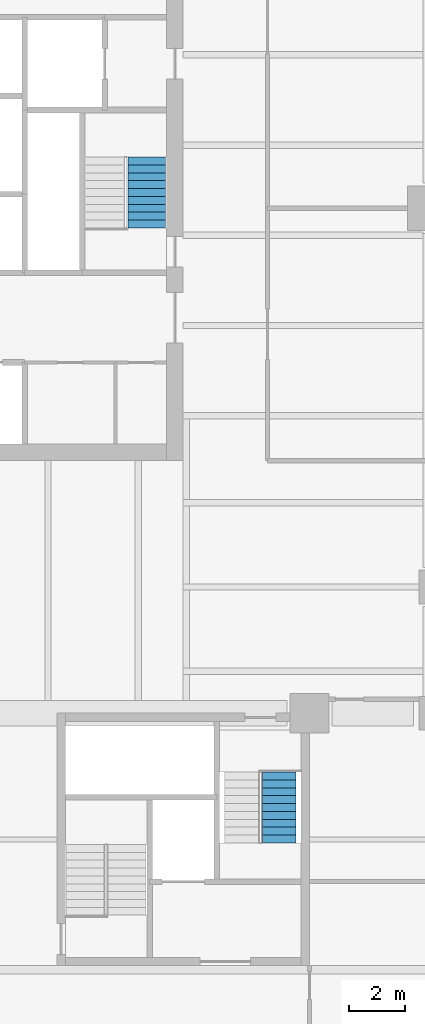
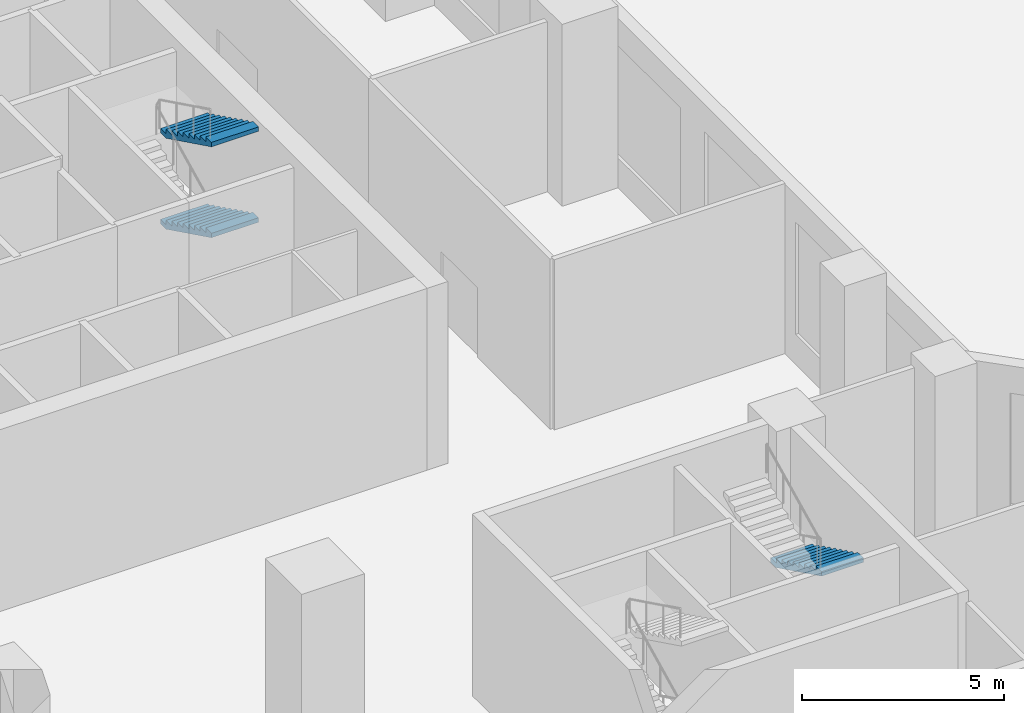
# One storey, part 29 of 33: 3 stair flights, 2 elements without a shape of their own.
"""IFC4 building model written with IfcOpenShell, lengths in metres."""

from ifc_helpers import new_model, si_unit, direction, frame, origin, place, context, subcontext, project, spatial, polyline, outline, extrude, material, type_object, element, aggregate, save


model = new_model("IFC4")

# Units and contexts
model_context = context("Model", 3, precision=1e-05, world=origin(), true_north=direction((0.0, 1.0)))
body_context = subcontext(model_context, "Body", "Model", "MODEL_VIEW")
ifc_project = project(units=[si_unit("LENGTHUNIT", "METRE"), si_unit("AREAUNIT", "SQUARE_METRE"), si_unit("VOLUMEUNIT", "CUBIC_METRE"), si_unit("PLANEANGLEUNIT", "RADIAN"), si_unit("MASSUNIT", "GRAM", prefix="KILO")], contexts=[model_context])

# Site, building, storey
site_placement = place(None, origin())
site = spatial("IfcSite", under=ifc_project, at=site_placement, CompositionType="ELEMENT")
building_placement = place(site_placement, origin())
building = spatial("IfcBuilding", under=site, at=building_placement, Name="Quoin Convention Tower", CompositionType="ELEMENT")
storey_placement = place(building_placement, frame((0.0, 0.0, 8.0)))
storey = spatial("IfcBuildingStorey", under=building, at=storey_placement, Name="L01", CompositionType="ELEMENT", Elevation=8.0)

# Stair, stair flight
ifc_material = material(Name="Concrete C40", Category="concrete")
stair_type_1 = type_object("IfcStairType", Name="Exit stair four-flight 1200", PredefinedType="DOUBLE_RETURN_STAIR", material=ifc_material)
stair_1_placement = place(storey_placement, origin())
stair_1 = element("IfcStair", 1, at=stair_1_placement, inside=storey, type_object=stair_type_1, Name="SD10 L01", PredefinedType="DOUBLE_RETURN_STAIR")
stair_flight_type_1 = type_object("IfcStairFlightType", Name="Stair flight 1200", PredefinedType="STRAIGHT", material=ifc_material)
stair_flight_1_placement = place(storey_placement, frame((70.925048828125, 38.39990234375, 2.75), z_axis=(0.0, 0.0, 1.0), x_axis=(0.0, -1.0, 0.0)))
stair_flight_1 = element("IfcStairFlight", 2, at=stair_flight_1_placement, type_object=stair_flight_type_1, Name="ST10 flight 3", NumberOfRisers=10, NumberOfTreads=9, PredefinedType="STRAIGHT", RiserHeight=0.1375, TreadLength=0.28, context=body_context, shape_type="SweptSolid", body=[
    extrude(outline(polyline([(0.0, 0.0), (0.0, 0.137451171875), (0.280029296875, 0.137451171875), (0.280029296875, 0.27490234375), (0.56005859375, 0.27490234375), (0.56005859375, 0.41259765625), (0.840087890625, 0.41259765625), (0.840087890625, 0.550048828125), (1.1201171875, 0.550048828125), (1.1201171875, 0.6875), (1.39990234375, 0.6875), (1.39990234375, 0.824951171875), (1.679931640625, 0.824951171875), (1.679931640625, 0.96240234375), (1.9599609375, 0.96240234375), (1.9599609375, 1.10009765625), (2.239990234375, 1.10009765625), (2.239990234375, 1.237548828125), (2.52001953125, 1.237548828125), (2.52001953125, 1.375), (2.52001953125, 1.103759765625), (0.2724609375, 0.0), (0.0, 0.0)])), frame((0.0, 0.60009765625, 0.0), z_axis=(0.0, -1.0, 0.0), x_axis=(1.0, 0.0, 0.0)), (0.0, 0.0, 1.0), 1.199951171875),
])
aggregate(stair_1, [stair_flight_1])

# Stair, stair flights
stair_type_2 = type_object("IfcStairType", Name="Exit stair four-flight 1350", PredefinedType="DOUBLE_RETURN_STAIR", material=ifc_material)
stair_2_placement = place(storey_placement, origin())
stair_2 = element("IfcStair", 3, at=stair_2_placement, inside=storey, type_object=stair_type_2, Name="SD2 L01", PredefinedType="DOUBLE_RETURN_STAIR")
stair_flight_type_2 = type_object("IfcStairFlightType", Name="Stair flight 1350", PredefinedType="STRAIGHT", material=ifc_material)
stair_flight_2_placement = place(storey_placement, frame((66.199951171875, 60.320068359375, 1.375), z_axis=(0.0, 0.0, 1.0), x_axis=(0.0, -1.0, 0.0)))
stair_flight_2 = element("IfcStairFlight", 4, at=stair_flight_2_placement, type_object=stair_flight_type_2, Name="ST2 flight 2", NumberOfRisers=10, NumberOfTreads=9, PredefinedType="STRAIGHT", RiserHeight=0.1375, TreadLength=0.28, context=body_context, shape_type="SweptSolid", body=[
    extrude(outline(polyline([(0.0, 0.0), (0.0, 0.137451171875), (0.280029296875, 0.137451171875), (0.280029296875, 0.27490234375), (0.56005859375, 0.27490234375), (0.56005859375, 0.41259765625), (0.840087890625, 0.41259765625), (0.840087890625, 0.550048828125), (1.1201171875, 0.550048828125), (1.1201171875, 0.6875), (1.39990234375, 0.6875), (1.39990234375, 0.824951171875), (1.679931640625, 0.824951171875), (1.679931640625, 0.96240234375), (1.9599609375, 0.96240234375), (1.9599609375, 1.10009765625), (2.239990234375, 1.10009765625), (2.239990234375, 1.237548828125), (2.52001953125, 1.237548828125), (2.52001953125, 1.375), (2.52001953125, 1.103759765625), (0.2724609375, 0.0), (0.0, 0.0)])), frame((0.0, 0.675048828125, 0.0), z_axis=(0.0, -1.0, 0.0), x_axis=(1.0, 0.0, 0.0)), (0.0, 0.0, 1.0), 1.35009765625),
])
stair_flight_3_placement = place(storey_placement, frame((66.199951171875, 60.320068359375, 4.125), z_axis=(0.0, 0.0, 1.0), x_axis=(0.0, -1.0, 0.0)))
stair_flight_3 = element("IfcStairFlight", 5, at=stair_flight_3_placement, type_object=stair_flight_type_2, Name="ST2 flight 4", NumberOfRisers=10, NumberOfTreads=9, PredefinedType="STRAIGHT", RiserHeight=0.1375, TreadLength=0.28, context=body_context, shape_type="SweptSolid", body=[
    extrude(outline(polyline([(0.0, 0.0), (0.0, 0.137451171875), (0.280029296875, 0.137451171875), (0.280029296875, 0.27490234375), (0.56005859375, 0.27490234375), (0.56005859375, 0.41259765625), (0.840087890625, 0.41259765625), (0.840087890625, 0.550048828125), (1.1201171875, 0.550048828125), (1.1201171875, 0.6875), (1.39990234375, 0.6875), (1.39990234375, 0.824951171875), (1.679931640625, 0.824951171875), (1.679931640625, 0.96240234375), (1.9599609375, 0.96240234375), (1.9599609375, 1.10009765625), (2.239990234375, 1.10009765625), (2.239990234375, 1.237548828125), (2.52001953125, 1.237548828125), (2.52001953125, 1.375), (2.52001953125, 1.103759765625), (0.2724609375, 0.0), (0.0, 0.0)])), frame((0.0, 0.675048828125, 0.0), z_axis=(0.0, -1.0, 0.0), x_axis=(1.0, 0.0, 0.0)), (0.0, 0.0, 1.0), 1.35009765625),
])
aggregate(stair_2, [stair_flight_2, stair_flight_3])

save(model, "model.ifc")
